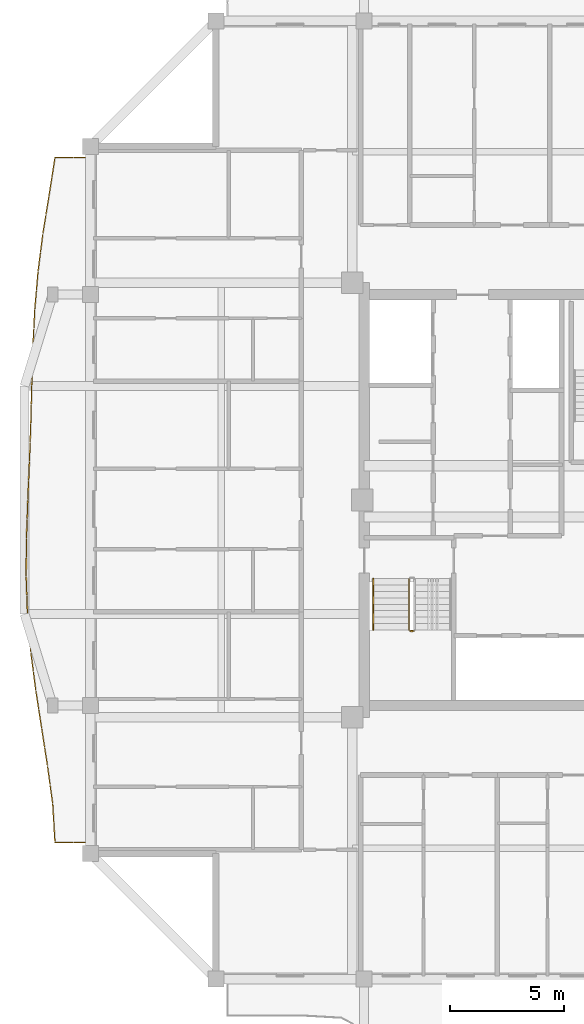
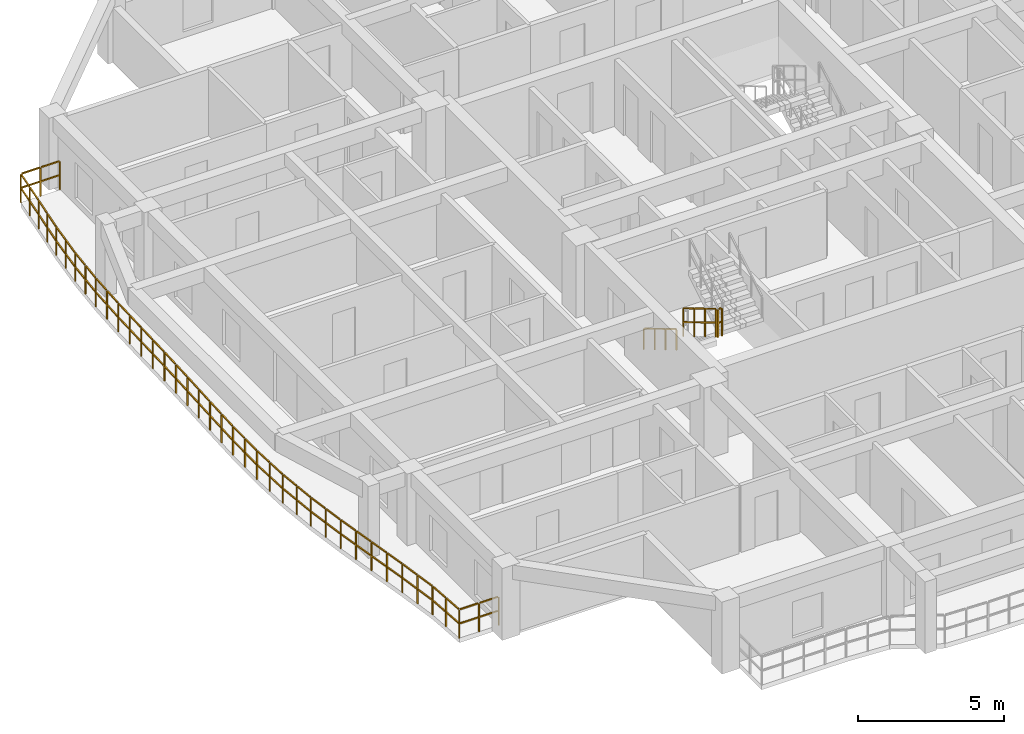
# One storey, part 11 of 14: 4 railings.
"""IFC4 building model written with IfcOpenShell, lengths in metres."""

import ifcopenshell
import ifcopenshell.guid

model = None  # the IFC model being written
_history = None  # IfcOwnerHistory: only IFC2X3 demands one
_inside = {}  # id of a spatial element -> (the spatial element, [elements in it])
_under = {}  # id of a project, library or spatial element -> (it, [spatial elements below it])
_declared = {}  # id of a project -> (the project, [libraries it declares])
_typed = {}  # id of a type object -> (the type object, [elements of that type])
_made_of = {}  # id of a material, layer set ... -> (it, [elements and type objects made of it])


def new_model(schema):
    """Start an empty IFC model of exactly this schema.

    Asked for "IFC4X3", IfcOpenShell would pick the latest addendum, in which some entities
    have other attributes; the version numbers below select the first issue.
    IFC2X3 requires an IfcOwnerHistory on every rooted entity: one is made here for all.
    """
    global model, _history
    if schema == "IFC4X3":
        model = ifcopenshell.file(schema_version=(4, 3, 0, 0))
    else:
        model = ifcopenshell.file(schema=schema)
    _inside.clear()
    _under.clear()
    _declared.clear()
    _typed.clear()
    _made_of.clear()
    _history = None
    if model.schema == "IFC2X3":
        org = make("IfcOrganization", Name="unknown")
        user = make(
            "IfcPersonAndOrganization",
            ThePerson=make("IfcPerson", FamilyName="unknown"),
            TheOrganization=org,
        )
        app = make(
            "IfcApplication",
            ApplicationDeveloper=org,
            Version="unknown",
            ApplicationFullName="unknown",
            ApplicationIdentifier="unknown",
        )
        _history = make(
            "IfcOwnerHistory",
            OwningUser=user,
            OwningApplication=app,
            ChangeAction="ADDED",
            CreationDate=0,
        )
    return model


def make(cls, **values):
    """One entity of the class cls with the attributes given. An attribute that is None is left unset."""
    return model.create_entity(
        cls, **{name: value for name, value in values.items() if value is not None}
    )


def rooted(cls, **values):
    """An entity with a GlobalId (a new one), such as an element, a storey or a relation."""
    return make(cls, GlobalId=ifcopenshell.guid.new(), OwnerHistory=_history, **values)


def si_unit(unit_type, name, prefix=None):
    """IfcSIUnit, for example si_unit("LENGTHUNIT", "METRE", prefix="MILLI")."""
    return make("IfcSIUnit", UnitType=unit_type, Prefix=prefix, Name=name)


def assignment(units):
    """IfcUnitAssignment: the units of a project."""
    return None if units is None else make("IfcUnitAssignment", Units=units)


def point(xyz):
    """IfcCartesianPoint."""
    return None if xyz is None else make("IfcCartesianPoint", Coordinates=xyz)


def direction(xyz):
    """IfcDirection."""
    return None if xyz is None else make("IfcDirection", DirectionRatios=xyz)


def frame(location, z_axis=None, x_axis=None):
    """IfcAxis2Placement3D, a coordinate frame: its origin and axes. An axis left out is left unset."""
    return make(
        "IfcAxis2Placement3D",
        Location=point(location),
        Axis=direction(z_axis),
        RefDirection=direction(x_axis),
    )


def frame_2d(location, x_axis=None):
    """IfcAxis2Placement2D, a coordinate frame in the plane: its origin and x axis."""
    return make(
        "IfcAxis2Placement2D", Location=point(location), RefDirection=direction(x_axis)
    )


def origin():
    """The frame at (0, 0, 0) with its axes left unset."""
    return frame((0.0, 0.0, 0.0))


def origin_2d():
    """The frame at (0, 0) in the plane with its x axis left unset."""
    return frame_2d((0.0, 0.0))


def place(relative_to, where):
    """IfcLocalPlacement: puts the frame where relative to a parent placement (None: the world)."""
    return make(
        "IfcLocalPlacement", PlacementRelTo=relative_to, RelativePlacement=where
    )


def context(
    kind, dimensions, precision=None, world=None, true_north=None, identifier=None
):
    """IfcGeometricRepresentationContext, for example the 3D "Model" context."""
    return make(
        "IfcGeometricRepresentationContext",
        ContextIdentifier=identifier,
        ContextType=kind,
        CoordinateSpaceDimension=dimensions,
        Precision=precision,
        WorldCoordinateSystem=world,
        TrueNorth=true_north,
    )


def subcontext(parent, identifier, kind, view, scale=None):
    """IfcGeometricRepresentationSubContext, for example "Body" below "Model"."""
    return make(
        "IfcGeometricRepresentationSubContext",
        ContextIdentifier=identifier,
        ContextType=kind,
        ParentContext=parent,
        TargetScale=scale,
        TargetView=view,
    )


def project(units=None, contexts=None):
    """IfcProject with its units and contexts."""
    return rooted(
        "IfcProject",
        Name="project",
        RepresentationContexts=contexts,
        UnitsInContext=assignment(units),
    )


def spatial(cls, under=None, at=None, **own):
    """A site, building, storey or space (cls), placed at a placement, below another one or the project."""
    s = rooted(cls, ObjectPlacement=at, **own)
    if under is not None:
        _under.setdefault(under.id(), (under, []))[1].append(s)
    return s


def profile(cls, at=None, kind="AREA", **sizes):
    """A parametric profile (cls). Its sizes go by their IFC names, for example OverallWidth=200.0."""
    return make(cls, ProfileType=kind, Position=at, **sizes)


def rectangle(**sizes):
    """IfcRectangleProfileDef."""
    return profile("IfcRectangleProfileDef", **sizes)


def extrude(swept, where, along, depth):
    """IfcExtrudedAreaSolid: the profile swept, set in the frame where, extruded along a direction by depth."""
    return make(
        "IfcExtrudedAreaSolid",
        SweptArea=swept,
        Position=where,
        ExtrudedDirection=direction(along),
        Depth=depth,
    )


def shape(context_of_items, identifier, shape_type, items):
    """IfcShapeRepresentation: the items that make up one representation, for example the "Body"."""
    return make(
        "IfcShapeRepresentation",
        ContextOfItems=context_of_items,
        RepresentationIdentifier=identifier,
        RepresentationType=shape_type,
        Items=items,
    )


def material(Name=None, Category=None):
    """IfcMaterial."""
    return make("IfcMaterial", Name=Name, Category=Category)


def made_of(thing, what):
    """Note that an element or type object is made of a material, layer set ...; save() writes the relation."""
    if what is not None:
        _made_of.setdefault(what.id(), (what, []))[1].append(thing)
    return thing


def type_object(cls, material=None, **own):
    """A type object (cls), such as IfcWallType, which elements share."""
    return made_of(rooted(cls, **own), material)


def element(
    cls,
    number,
    at=None,
    inside=None,
    cuts=None,
    type_object=None,
    material=None,
    context=None,
    identifier="Body",
    shape_type=None,
    held_by="IfcProductDefinitionShape",
    body=None,
    shapes=None,
    **own,
):
    """One element of the class cls, such as IfcWall. Its Tag is "e" and its number.

    at: its placement. inside: the storey or other place that contains it. cuts: it is an
    opening in that element (IfcRelVoidsElement). A single representation is given by context,
    identifier, shape_type and body (its items); several are given by shapes. held_by: the class
    of the entity that holds the representations. save() writes the other relations.
    """
    e = rooted(cls, Tag="e%d" % number, ObjectPlacement=at, **own)
    if body is not None:
        shapes = [shape(context, identifier, shape_type, body)]
    if shapes is not None:
        e.Representation = make(held_by, Representations=shapes)
    if inside is not None:
        _inside.setdefault(inside.id(), (inside, []))[1].append(e)
    if cuts is not None:
        rooted(
            "IfcRelVoidsElement", RelatingBuildingElement=cuts, RelatedOpeningElement=e
        )
    if type_object is not None:
        _typed.setdefault(type_object.id(), (type_object, []))[1].append(e)
    return made_of(e, material)


def aggregate(whole, parts):
    """IfcRelAggregates: a whole, such as a stair, and the parts it consists of."""
    return rooted("IfcRelAggregates", RelatingObject=whole, RelatedObjects=parts)


def save(model, path):
    """Write the relations noted so far, then the file.

    IfcRelAggregates (storeys below a building ...), IfcRelContainedInSpatialStructure (elements
    in a storey), IfcRelDefinesByType, IfcRelAssociatesMaterial and IfcRelDeclares: one each for
    every whole, place, type object, material and project.
    """
    for whole, parts in _under.values():
        aggregate(whole, parts)
    for where, things in _inside.values():
        rooted(
            "IfcRelContainedInSpatialStructure",
            RelatedElements=things,
            RelatingStructure=where,
        )
    for kind, things in _typed.values():
        rooted("IfcRelDefinesByType", RelatedObjects=things, RelatingType=kind)
    for what, things in _made_of.values():
        rooted("IfcRelAssociatesMaterial", RelatedObjects=things, RelatingMaterial=what)
    for by, libraries in _declared.values():
        rooted("IfcRelDeclares", RelatingContext=by, RelatedDefinitions=libraries)
    model.write(path)


model = new_model("IFC4")

# Units and contexts
model_context = context("Model", 3, precision=1e-05, world=origin(), true_north=direction((0.0, 1.0)))
body_context = subcontext(model_context, "Body", "Model", "MODEL_VIEW")
ifc_project = project(units=[si_unit("LENGTHUNIT", "METRE"), si_unit("AREAUNIT", "SQUARE_METRE"), si_unit("VOLUMEUNIT", "CUBIC_METRE"), si_unit("PLANEANGLEUNIT", "RADIAN"), si_unit("MASSUNIT", "GRAM", prefix="KILO")], contexts=[model_context])

# Site, building, storey
site_placement = place(None, origin())
site = spatial("IfcSite", under=ifc_project, at=site_placement, CompositionType="ELEMENT")
building_placement = place(site_placement, origin())
building = spatial("IfcBuilding", under=site, at=building_placement, Name="Saelheon Loggia Tower", CompositionType="ELEMENT")
storey_placement = place(building_placement, frame((0.0, 0.0, 210.300048828125)))
storey = spatial("IfcBuildingStorey", under=building, at=storey_placement, Name="L65", CompositionType="ELEMENT", Elevation=210.300048828125)

# Railings
ifc_material_1 = material(Name="Architectural Precast Concrete and Laminated Glass Guard", Category="concrete")
railing_type_1 = type_object("IfcRailingType", Name="Guard_Loggia_RL_LOG", PredefinedType="BALUSTRADE", material=ifc_material_1)
railing_1_placement = place(storey_placement, frame((19.5, 42.0, 0.0)))
element("IfcRailing", 1, at=railing_1_placement, inside=storey, type_object=railing_type_1, Name="L65 West Loggia Balustrade", PredefinedType="BALUSTRADE", context=body_context, shape_type="SweptSolid", body=[
    extrude(rectangle(XDim=0.048095703125, YDim=0.048095703125, at=origin_2d()), frame((-0.033203125, 0.0, 1.19580078125), z_axis=(-1.0, 0.0, 0.0), x_axis=(0.0, -1.0, 0.0)), (0.0, 0.0, 1.0), 0.70849609375),
    extrude(rectangle(XDim=0.048095703125, YDim=0.048095703125, at=origin_2d()), frame((-0.033203125, 0.0, 0.60986328125), z_axis=(-1.0, 0.0, 0.0), x_axis=(0.0, -1.0, 0.0)), (0.0, 0.0, 1.0), 0.70849609375),
    extrude(rectangle(XDim=0.048095703125, YDim=0.048095703125, at=origin_2d()), frame((-0.808349609375, 0.0, 1.19580078125), z_axis=(-1.0, 0.0, 0.0), x_axis=(0.0, -1.0, 0.0)), (0.0, 0.0, 1.0), 0.70849609375),
    extrude(rectangle(XDim=0.048095703125, YDim=0.048095703125, at=origin_2d()), frame((-0.808349609375, 0.0, 0.60986328125), z_axis=(-1.0, 0.0, 0.0), x_axis=(0.0, -1.0, 0.0)), (0.0, 0.0, 1.0), 0.70849609375),
    extrude(rectangle(XDim=0.048095703125, YDim=0.048095703125, at=origin_2d()), frame((-1.55517578125, -0.03271484375, 1.19580078125), z_axis=(-0.154275338413, -0.988027894322, 0.0), x_axis=(0.988027894322, -0.154275338413, 0.0)), (0.0, 0.0, 1.0), 0.777099609375),
    extrude(rectangle(XDim=0.048095703125, YDim=0.048095703125, at=origin_2d()), frame((-1.55517578125, -0.03271484375, 0.60986328125), z_axis=(-0.154275338413, -0.988027894322, 0.0), x_axis=(0.988027894322, -0.154275338413, 0.0)), (0.0, 0.0, 1.0), 0.777099609375),
    extrude(rectangle(XDim=0.048095703125, YDim=0.048095703125, at=origin_2d()), frame((-1.685302734375, -0.8662109375, 1.19580078125), z_axis=(-0.154275338413, -0.988027894322, 0.0), x_axis=(0.988027894322, -0.154275338413, 0.0)), (0.0, 0.0, 1.0), 0.777099609375),
    extrude(rectangle(XDim=0.048095703125, YDim=0.048095703125, at=origin_2d()), frame((-1.685302734375, -0.8662109375, 0.60986328125), z_axis=(-0.154275338413, -0.988027894322, 0.0), x_axis=(0.988027894322, -0.154275338413, 0.0)), (0.0, 0.0, 1.0), 0.777099609375),
    extrude(rectangle(XDim=0.048095703125, YDim=0.048095703125, at=origin_2d()), frame((-1.815673828125, -1.699462890625, 1.19580078125), z_axis=(-0.160364370731, -0.987057885131, 0.0), x_axis=(0.987057885131, -0.160364370731, 0.0)), (0.0, 0.0, 1.0), 0.777587890625),
    extrude(rectangle(XDim=0.048095703125, YDim=0.048095703125, at=origin_2d()), frame((-1.815673828125, -1.699462890625, 0.60986328125), z_axis=(-0.160364370731, -0.987057885131, 0.0), x_axis=(0.987057885131, -0.160364370731, 0.0)), (0.0, 0.0, 1.0), 0.777587890625),
    extrude(rectangle(XDim=0.048095703125, YDim=0.048095703125, at=origin_2d()), frame((-1.950927734375, -2.53271484375, 1.19580078125), z_axis=(-0.160364370731, -0.987057885131, 0.0), x_axis=(0.987057885131, -0.160364370731, 0.0)), (0.0, 0.0, 1.0), 0.777587890625),
    extrude(rectangle(XDim=0.048095703125, YDim=0.048095703125, at=origin_2d()), frame((-1.950927734375, -2.53271484375, 0.60986328125), z_axis=(-0.160364370731, -0.987057885131, 0.0), x_axis=(0.987057885131, -0.160364370731, 0.0)), (0.0, 0.0, 1.0), 0.777587890625),
    extrude(rectangle(XDim=0.048095703125, YDim=0.048095703125, at=origin_2d()), frame((-2.085205078125, -3.3662109375, 1.19580078125), z_axis=(-0.126555838779, -0.991959484894, 0.0), x_axis=(0.991959484894, -0.126555838779, 0.0)), (0.0, 0.0, 1.0), 0.773681640625),
    extrude(rectangle(XDim=0.048095703125, YDim=0.048095703125, at=origin_2d()), frame((-2.085205078125, -3.3662109375, 0.60986328125), z_axis=(-0.126555838779, -0.991959484894, 0.0), x_axis=(0.991959484894, -0.126555838779, 0.0)), (0.0, 0.0, 1.0), 0.773681640625),
    extrude(rectangle(XDim=0.048095703125, YDim=0.048095703125, at=origin_2d()), frame((-2.191650390625, -4.19970703125, 1.19580078125), z_axis=(-0.126555838779, -0.991959484894, 0.0), x_axis=(0.991959484894, -0.126555838779, 0.0)), (0.0, 0.0, 1.0), 0.773681640625),
    extrude(rectangle(XDim=0.048095703125, YDim=0.048095703125, at=origin_2d()), frame((-2.191650390625, -4.19970703125, 0.60986328125), z_axis=(-0.126555838779, -0.991959484894, 0.0), x_axis=(0.991959484894, -0.126555838779, 0.0)), (0.0, 0.0, 1.0), 0.773681640625),
    extrude(rectangle(XDim=0.048095703125, YDim=0.048095703125, at=origin_2d()), frame((-2.296630859375, -5.033203125, 1.19580078125), z_axis=(-0.085086537051, -0.996373565091, 0.0), x_axis=(0.996373565091, -0.085086537051, 0.0)), (0.0, 0.0, 1.0), 0.77001953125),
    extrude(rectangle(XDim=0.048095703125, YDim=0.048095703125, at=origin_2d()), frame((-2.296630859375, -5.033203125, 0.60986328125), z_axis=(-0.085086537051, -0.996373565091, 0.0), x_axis=(0.996373565091, -0.085086537051, 0.0)), (0.0, 0.0, 1.0), 0.77001953125),
    extrude(rectangle(XDim=0.048095703125, YDim=0.048095703125, at=origin_2d()), frame((-2.36767578125, -5.866455078125, 1.19580078125), z_axis=(-0.085086537051, -0.996373565091, 0.0), x_axis=(0.996373565091, -0.085086537051, 0.0)), (0.0, 0.0, 1.0), 0.77001953125),
    extrude(rectangle(XDim=0.048095703125, YDim=0.048095703125, at=origin_2d()), frame((-2.36767578125, -5.866455078125, 0.60986328125), z_axis=(-0.085086537051, -0.996373565091, 0.0), x_axis=(0.996373565091, -0.085086537051, 0.0)), (0.0, 0.0, 1.0), 0.77001953125),
    extrude(rectangle(XDim=0.048095703125, YDim=0.048095703125, at=origin_2d()), frame((-2.437744140625, -6.699951171875, 1.19580078125), z_axis=(-0.049164031817, -0.998790717806, 0.0), x_axis=(0.998790717806, -0.049164031817, 0.0)), (0.0, 0.0, 1.0), 0.767822265625),
    extrude(rectangle(XDim=0.048095703125, YDim=0.048095703125, at=origin_2d()), frame((-2.437744140625, -6.699951171875, 0.60986328125), z_axis=(-0.049164031817, -0.998790717806, 0.0), x_axis=(0.998790717806, -0.049164031817, 0.0)), (0.0, 0.0, 1.0), 0.767822265625),
    extrude(rectangle(XDim=0.048095703125, YDim=0.048095703125, at=origin_2d()), frame((-2.478759765625, -7.533203125, 1.19580078125), z_axis=(-0.049164031817, -0.998790717806, 0.0), x_axis=(0.998790717806, -0.049164031817, 0.0)), (0.0, 0.0, 1.0), 0.767822265625),
    extrude(rectangle(XDim=0.048095703125, YDim=0.048095703125, at=origin_2d()), frame((-2.478759765625, -7.533203125, 0.60986328125), z_axis=(-0.049164031817, -0.998790717806, 0.0), x_axis=(0.998790717806, -0.049164031817, 0.0)), (0.0, 0.0, 1.0), 0.767822265625),
    extrude(rectangle(XDim=0.048095703125, YDim=0.048095703125, at=origin_2d()), frame((-2.51904296875, -8.366455078125, 1.19580078125), z_axis=(-0.028990300161, -0.999579692919, 0.0), x_axis=(0.999579692919, -0.028990300161, 0.0)), (0.0, 0.0, 1.0), 0.767333984375),
    extrude(rectangle(XDim=0.048095703125, YDim=0.048095703125, at=origin_2d()), frame((-2.51904296875, -8.366455078125, 0.60986328125), z_axis=(-0.028990300161, -0.999579692919, 0.0), x_axis=(0.999579692919, -0.028990300161, 0.0)), (0.0, 0.0, 1.0), 0.767333984375),
    extrude(rectangle(XDim=0.048095703125, YDim=0.048095703125, at=origin_2d()), frame((-2.543212890625, -9.199951171875, 1.19580078125), z_axis=(-0.028990300161, -0.999579692919, 0.0), x_axis=(0.999579692919, -0.028990300161, 0.0)), (0.0, 0.0, 1.0), 0.767333984375),
    extrude(rectangle(XDim=0.048095703125, YDim=0.048095703125, at=origin_2d()), frame((-2.543212890625, -9.199951171875, 0.60986328125), z_axis=(-0.028990300161, -0.999579692919, 0.0), x_axis=(0.999579692919, -0.028990300161, 0.0)), (0.0, 0.0, 1.0), 0.767333984375),
    extrude(rectangle(XDim=0.048095703125, YDim=0.048095703125, at=origin_2d()), frame((-2.5673828125, -10.033203125, 1.19580078125), z_axis=(-0.026503064378, -0.999648732095, 0.0), x_axis=(0.999648732095, -0.026503064378, 0.0)), (0.0, 0.0, 1.0), 0.76708984375),
    extrude(rectangle(XDim=0.048095703125, YDim=0.048095703125, at=origin_2d()), frame((-2.5673828125, -10.033203125, 0.60986328125), z_axis=(-0.026503064378, -0.999648732095, 0.0), x_axis=(0.999648732095, -0.026503064378, 0.0)), (0.0, 0.0, 1.0), 0.76708984375),
    extrude(rectangle(XDim=0.048095703125, YDim=0.048095703125, at=origin_2d()), frame((-2.58935546875, -10.86669921875, 1.19580078125), z_axis=(-0.026503064378, -0.999648732095, 0.0), x_axis=(0.999648732095, -0.026503064378, 0.0)), (0.0, 0.0, 1.0), 0.76708984375),
    extrude(rectangle(XDim=0.048095703125, YDim=0.048095703125, at=origin_2d()), frame((-2.58935546875, -10.86669921875, 0.60986328125), z_axis=(-0.026503064378, -0.999648732095, 0.0), x_axis=(0.999648732095, -0.026503064378, 0.0)), (0.0, 0.0, 1.0), 0.76708984375),
    extrude(rectangle(XDim=0.048095703125, YDim=0.048095703125, at=origin_2d()), frame((-2.61181640625, -11.699951171875, 1.19580078125), z_axis=(-0.034699278976, -0.999397798696, 0.0), x_axis=(0.999397798696, -0.034699278976, 0.0)), (0.0, 0.0, 1.0), 0.767333984375),
    extrude(rectangle(XDim=0.048095703125, YDim=0.048095703125, at=origin_2d()), frame((-2.61181640625, -11.699951171875, 0.60986328125), z_axis=(-0.034699278976, -0.999397798696, 0.0), x_axis=(0.999397798696, -0.034699278976, 0.0)), (0.0, 0.0, 1.0), 0.767333984375),
    extrude(rectangle(XDim=0.048095703125, YDim=0.048095703125, at=origin_2d()), frame((-2.640625, -12.533203125, 1.19580078125), z_axis=(-0.034699278976, -0.999397798696, 0.0), x_axis=(0.999397798696, -0.034699278976, 0.0)), (0.0, 0.0, 1.0), 0.767333984375),
    extrude(rectangle(XDim=0.048095703125, YDim=0.048095703125, at=origin_2d()), frame((-2.640625, -12.533203125, 0.60986328125), z_axis=(-0.034699278976, -0.999397798696, 0.0), x_axis=(0.999397798696, -0.034699278976, 0.0)), (0.0, 0.0, 1.0), 0.767333984375),
    extrude(rectangle(XDim=0.048095703125, YDim=0.048095703125, at=origin_2d()), frame((-2.669921875, -13.366455078125, 1.19580078125), z_axis=(-0.041563583491, -0.999135860895, 0.0), x_axis=(0.999135860895, -0.041563583491, 0.0)), (0.0, 0.0, 1.0), 0.767578125),
    extrude(rectangle(XDim=0.048095703125, YDim=0.048095703125, at=origin_2d()), frame((-2.669921875, -13.366455078125, 0.60986328125), z_axis=(-0.041563583491, -0.999135860895, 0.0), x_axis=(0.999135860895, -0.041563583491, 0.0)), (0.0, 0.0, 1.0), 0.767578125),
    extrude(rectangle(XDim=0.048095703125, YDim=0.048095703125, at=origin_2d()), frame((-2.70458984375, -14.199951171875, 1.19580078125), z_axis=(-0.041563583491, -0.999135860895, 0.0), x_axis=(0.999135860895, -0.041563583491, 0.0)), (0.0, 0.0, 1.0), 0.767578125),
    extrude(rectangle(XDim=0.048095703125, YDim=0.048095703125, at=origin_2d()), frame((-2.70458984375, -14.199951171875, 0.60986328125), z_axis=(-0.041563583491, -0.999135860895, 0.0), x_axis=(0.999135860895, -0.041563583491, 0.0)), (0.0, 0.0, 1.0), 0.767578125),
    extrude(rectangle(XDim=0.048095703125, YDim=0.048095703125, at=origin_2d()), frame((-2.739013671875, -15.033203125, 1.19580078125), z_axis=(-0.035132830873, -0.999382651538, 0.0), x_axis=(0.999382651538, -0.035132830873, 0.0)), (0.0, 0.0, 1.0), 0.767333984375),
    extrude(rectangle(XDim=0.048095703125, YDim=0.048095703125, at=origin_2d()), frame((-2.739013671875, -15.033203125, 0.60986328125), z_axis=(-0.035132830873, -0.999382651538, 0.0), x_axis=(0.999382651538, -0.035132830873, 0.0)), (0.0, 0.0, 1.0), 0.767333984375),
    extrude(rectangle(XDim=0.048095703125, YDim=0.048095703125, at=origin_2d()), frame((-2.768310546875, -15.86669921875, 1.19580078125), z_axis=(-0.035132830873, -0.999382651538, 0.0), x_axis=(0.999382651538, -0.035132830873, 0.0)), (0.0, 0.0, 1.0), 0.767333984375),
    extrude(rectangle(XDim=0.048095703125, YDim=0.048095703125, at=origin_2d()), frame((-2.768310546875, -15.86669921875, 0.60986328125), z_axis=(-0.035132830873, -0.999382651538, 0.0), x_axis=(0.999382651538, -0.035132830873, 0.0)), (0.0, 0.0, 1.0), 0.767333984375),
    extrude(rectangle(XDim=0.048095703125, YDim=0.048095703125, at=origin_2d()), frame((-2.796630859375, -16.699951171875, 1.19580078125), z_axis=(-0.008496616815, -0.9999639031, 0.0), x_axis=(0.9999639031, -0.008496616815, 0.0)), (0.0, 0.0, 1.0), 0.766845703125),
    extrude(rectangle(XDim=0.048095703125, YDim=0.048095703125, at=origin_2d()), frame((-2.796630859375, -16.699951171875, 0.60986328125), z_axis=(-0.008496616815, -0.9999639031, 0.0), x_axis=(0.9999639031, -0.008496616815, 0.0)), (0.0, 0.0, 1.0), 0.766845703125),
    extrude(rectangle(XDim=0.048095703125, YDim=0.048095703125, at=origin_2d()), frame((-2.8037109375, -17.533203125, 1.19580078125), z_axis=(-0.008496616815, -0.9999639031, 0.0), x_axis=(0.9999639031, -0.008496616815, 0.0)), (0.0, 0.0, 1.0), 0.766845703125),
    extrude(rectangle(XDim=0.048095703125, YDim=0.048095703125, at=origin_2d()), frame((-2.8037109375, -17.533203125, 0.60986328125), z_axis=(-0.008496616815, -0.9999639031, 0.0), x_axis=(0.9999639031, -0.008496616815, 0.0)), (0.0, 0.0, 1.0), 0.766845703125),
    extrude(rectangle(XDim=0.048095703125, YDim=0.048095703125, at=origin_2d()), frame((-2.809326171875, -18.366455078125, 1.19580078125), z_axis=(0.035132830873, -0.999382651538, 0.0), x_axis=(0.999382651538, 0.035132830873, 0.0)), (0.0, 0.0, 1.0), 0.767333984375),
    extrude(rectangle(XDim=0.048095703125, YDim=0.048095703125, at=origin_2d()), frame((-2.809326171875, -18.366455078125, 0.60986328125), z_axis=(0.035132830873, -0.999382651538, 0.0), x_axis=(0.999382651538, 0.035132830873, 0.0)), (0.0, 0.0, 1.0), 0.767333984375),
    extrude(rectangle(XDim=0.048095703125, YDim=0.048095703125, at=origin_2d()), frame((-2.780029296875, -19.199951171875, 1.19580078125), z_axis=(0.035132830873, -0.999382651538, 0.0), x_axis=(0.999382651538, 0.035132830873, 0.0)), (0.0, 0.0, 1.0), 0.767333984375),
    extrude(rectangle(XDim=0.048095703125, YDim=0.048095703125, at=origin_2d()), frame((-2.780029296875, -19.199951171875, 0.60986328125), z_axis=(0.035132830873, -0.999382651538, 0.0), x_axis=(0.999382651538, 0.035132830873, 0.0)), (0.0, 0.0, 1.0), 0.767333984375),
    extrude(rectangle(XDim=0.048095703125, YDim=0.048095703125, at=origin_2d()), frame((-2.7490234375, -20.033203125, 1.19580078125), z_axis=(0.085810916516, -0.996311440568, 0.0), x_axis=(0.996311440568, 0.085810916516, 0.0)), (0.0, 0.0, 1.0), 0.77001953125),
    extrude(rectangle(XDim=0.048095703125, YDim=0.048095703125, at=origin_2d()), frame((-2.7490234375, -20.033203125, 0.60986328125), z_axis=(0.085810916516, -0.996311440568, 0.0), x_axis=(0.996311440568, 0.085810916516, 0.0)), (0.0, 0.0, 1.0), 0.77001953125),
    extrude(rectangle(XDim=0.048095703125, YDim=0.048095703125, at=origin_2d()), frame((-2.67724609375, -20.866455078125, 1.19580078125), z_axis=(0.085810916516, -0.996311440568, 0.0), x_axis=(0.996311440568, 0.085810916516, 0.0)), (0.0, 0.0, 1.0), 0.77001953125),
    extrude(rectangle(XDim=0.048095703125, YDim=0.048095703125, at=origin_2d()), frame((-2.67724609375, -20.866455078125, 0.60986328125), z_axis=(0.085810916516, -0.996311440568, 0.0), x_axis=(0.996311440568, 0.085810916516, 0.0)), (0.0, 0.0, 1.0), 0.77001953125),
    extrude(rectangle(XDim=0.048095703125, YDim=0.048095703125, at=origin_2d()), frame((-2.60400390625, -21.69970703125, 1.19580078125), z_axis=(0.128718073228, -0.991681227827, 0.0), x_axis=(0.991681227827, 0.128718073228, 0.0)), (0.0, 0.0, 1.0), 0.773681640625),
    extrude(rectangle(XDim=0.048095703125, YDim=0.048095703125, at=origin_2d()), frame((-2.60400390625, -21.69970703125, 0.60986328125), z_axis=(0.128718073228, -0.991681227827, 0.0), x_axis=(0.991681227827, 0.128718073228, 0.0)), (0.0, 0.0, 1.0), 0.773681640625),
    extrude(rectangle(XDim=0.048095703125, YDim=0.048095703125, at=origin_2d()), frame((-2.495849609375, -22.532958984375, 1.19580078125), z_axis=(0.128718073228, -0.991681227827, 0.0), x_axis=(0.991681227827, 0.128718073228, 0.0)), (0.0, 0.0, 1.0), 0.773681640625),
    extrude(rectangle(XDim=0.048095703125, YDim=0.048095703125, at=origin_2d()), frame((-2.495849609375, -22.532958984375, 0.60986328125), z_axis=(0.128718073228, -0.991681227827, 0.0), x_axis=(0.991681227827, 0.128718073228, 0.0)), (0.0, 0.0, 1.0), 0.773681640625),
    extrude(rectangle(XDim=0.048095703125, YDim=0.048095703125, at=origin_2d()), frame((-2.386962890625, -23.3662109375, 1.19580078125), z_axis=(0.152579310922, -0.988291229283, 0.0), x_axis=(0.988291229283, 0.152579310922, 0.0)), (0.0, 0.0, 1.0), 0.77685546875),
    extrude(rectangle(XDim=0.048095703125, YDim=0.048095703125, at=origin_2d()), frame((-2.386962890625, -23.3662109375, 0.60986328125), z_axis=(0.152579310922, -0.988291229283, 0.0), x_axis=(0.988291229283, 0.152579310922, 0.0)), (0.0, 0.0, 1.0), 0.77685546875),
    extrude(rectangle(XDim=0.048095703125, YDim=0.048095703125, at=origin_2d()), frame((-2.25830078125, -24.199462890625, 1.19580078125), z_axis=(0.152579310922, -0.988291229283, 0.0), x_axis=(0.988291229283, 0.152579310922, 0.0)), (0.0, 0.0, 1.0), 0.77685546875),
    extrude(rectangle(XDim=0.048095703125, YDim=0.048095703125, at=origin_2d()), frame((-2.25830078125, -24.199462890625, 0.60986328125), z_axis=(0.152579310922, -0.988291229283, 0.0), x_axis=(0.988291229283, 0.152579310922, 0.0)), (0.0, 0.0, 1.0), 0.77685546875),
    extrude(rectangle(XDim=0.048095703125, YDim=0.048095703125, at=origin_2d()), frame((-2.129638671875, -25.032958984375, 1.19580078125), z_axis=(0.15356882512, -0.988137953907, 0.0), x_axis=(0.988137953907, 0.15356882512, 0.0)), (0.0, 0.0, 1.0), 0.77685546875),
    extrude(rectangle(XDim=0.048095703125, YDim=0.048095703125, at=origin_2d()), frame((-2.129638671875, -25.032958984375, 0.60986328125), z_axis=(0.15356882512, -0.988137953907, 0.0), x_axis=(0.988137953907, 0.15356882512, 0.0)), (0.0, 0.0, 1.0), 0.77685546875),
    extrude(rectangle(XDim=0.048095703125, YDim=0.048095703125, at=origin_2d()), frame((-2.000244140625, -25.8662109375, 1.19580078125), z_axis=(0.15356882512, -0.988137953907, 0.0), x_axis=(0.988137953907, 0.15356882512, 0.0)), (0.0, 0.0, 1.0), 0.77685546875),
    extrude(rectangle(XDim=0.048095703125, YDim=0.048095703125, at=origin_2d()), frame((-2.000244140625, -25.8662109375, 0.60986328125), z_axis=(0.15356882512, -0.988137953907, 0.0), x_axis=(0.988137953907, 0.15356882512, 0.0)), (0.0, 0.0, 1.0), 0.77685546875),
    extrude(rectangle(XDim=0.048095703125, YDim=0.048095703125, at=origin_2d()), frame((-1.871337890625, -26.69970703125, 1.19580078125), z_axis=(0.13556658858, -0.990768237309, 0.0), x_axis=(0.990768237309, 0.13556658858, 0.0)), (0.0, 0.0, 1.0), 0.774658203125),
    extrude(rectangle(XDim=0.048095703125, YDim=0.048095703125, at=origin_2d()), frame((-1.871337890625, -26.69970703125, 0.60986328125), z_axis=(0.13556658858, -0.990768237309, 0.0), x_axis=(0.990768237309, 0.13556658858, 0.0)), (0.0, 0.0, 1.0), 0.774658203125),
    extrude(rectangle(XDim=0.048095703125, YDim=0.048095703125, at=origin_2d()), frame((-1.75732421875, -27.532958984375, 1.19580078125), z_axis=(0.13556658858, -0.990768237309, 0.0), x_axis=(0.990768237309, 0.13556658858, 0.0)), (0.0, 0.0, 1.0), 0.774658203125),
    extrude(rectangle(XDim=0.048095703125, YDim=0.048095703125, at=origin_2d()), frame((-1.75732421875, -27.532958984375, 0.60986328125), z_axis=(0.13556658858, -0.990768237309, 0.0), x_axis=(0.990768237309, 0.13556658858, 0.0)), (0.0, 0.0, 1.0), 0.774658203125),
    extrude(rectangle(XDim=0.048095703125, YDim=0.048095703125, at=origin_2d()), frame((-1.645751953125, -28.366455078125, 1.19580078125), z_axis=(0.058490579202, -0.998287960533, 0.0), x_axis=(0.998287960533, 0.058490579202, 0.0)), (0.0, 0.0, 1.0), 0.768310546875),
    extrude(rectangle(XDim=0.048095703125, YDim=0.048095703125, at=origin_2d()), frame((-1.645751953125, -28.366455078125, 0.60986328125), z_axis=(0.058490579202, -0.998287960533, 0.0), x_axis=(0.998287960533, 0.058490579202, 0.0)), (0.0, 0.0, 1.0), 0.768310546875),
    extrude(rectangle(XDim=0.048095703125, YDim=0.048095703125, at=origin_2d()), frame((-1.596923828125, -29.19970703125, 1.19580078125), z_axis=(0.058490579202, -0.998287960533, 0.0), x_axis=(0.998287960533, 0.058490579202, 0.0)), (0.0, 0.0, 1.0), 0.768310546875),
    extrude(rectangle(XDim=0.048095703125, YDim=0.048095703125, at=origin_2d()), frame((-1.596923828125, -29.19970703125, 0.60986328125), z_axis=(0.058490579202, -0.998287960533, 0.0), x_axis=(0.998287960533, 0.058490579202, 0.0)), (0.0, 0.0, 1.0), 0.768310546875),
    extrude(rectangle(XDim=0.048095703125, YDim=0.048095703125, at=origin_2d()), frame((-1.516845703125, -30.0, 1.19580078125), z_axis=(1.0, 0.0, 0.0), x_axis=(0.0, 1.0, 0.0)), (0.0, 0.0, 1.0), 0.70849609375),
    extrude(rectangle(XDim=0.048095703125, YDim=0.048095703125, at=origin_2d()), frame((-1.516845703125, -30.0, 0.60986328125), z_axis=(1.0, 0.0, 0.0), x_axis=(0.0, 1.0, 0.0)), (0.0, 0.0, 1.0), 0.70849609375),
    extrude(rectangle(XDim=0.048095703125, YDim=0.048095703125, at=origin_2d()), frame((-0.74169921875, -30.0, 1.19580078125), z_axis=(1.0, 0.0, 0.0), x_axis=(0.0, 1.0, 0.0)), (0.0, 0.0, 1.0), 0.70849609375),
    extrude(rectangle(XDim=0.048095703125, YDim=0.048095703125, at=origin_2d()), frame((-0.74169921875, -30.0, 0.60986328125), z_axis=(1.0, 0.0, 0.0), x_axis=(0.0, 1.0, 0.0)), (0.0, 0.0, 1.0), 0.70849609375),
    extrude(rectangle(XDim=0.0419921875, YDim=0.0419921875, at=origin_2d()), origin(), (0.0, 0.0, 1.0), 1.16796875),
    extrude(rectangle(XDim=0.0419921875, YDim=0.0419921875, at=origin_2d()), frame((-0.77490234375, 0.0, 0.0)), (0.0, 0.0, 1.0), 1.16796875),
    extrude(rectangle(XDim=0.0419921875, YDim=0.0419921875, at=origin_2d()), frame((-1.550048828125, 0.0, 0.0)), (0.0, 0.0, 1.0), 1.16796875),
    extrude(rectangle(XDim=0.0419921875, YDim=0.0419921875, at=origin_2d()), frame((-1.68017578125, -0.83349609375, 0.0)), (0.0, 0.0, 1.0), 1.16796875),
    extrude(rectangle(XDim=0.0419921875, YDim=0.0419921875, at=origin_2d()), frame((-1.810302734375, -1.666748046875, 0.0)), (0.0, 0.0, 1.0), 1.16796875),
    extrude(rectangle(XDim=0.0419921875, YDim=0.0419921875, at=origin_2d()), frame((-1.94580078125, -2.5, 0.0)), (0.0, 0.0, 1.0), 1.16796875),
    extrude(rectangle(XDim=0.0419921875, YDim=0.0419921875, at=origin_2d()), frame((-2.0810546875, -3.333251953125, 0.0)), (0.0, 0.0, 1.0), 1.16796875),
    extrude(rectangle(XDim=0.0419921875, YDim=0.0419921875, at=origin_2d()), frame((-2.1875, -4.16650390625, 0.0)), (0.0, 0.0, 1.0), 1.16796875),
    extrude(rectangle(XDim=0.0419921875, YDim=0.0419921875, at=origin_2d()), frame((-2.293701171875, -5.0, 0.0)), (0.0, 0.0, 1.0), 1.16796875),
    extrude(rectangle(XDim=0.0419921875, YDim=0.0419921875, at=origin_2d()), frame((-2.36474609375, -5.83349609375, 0.0)), (0.0, 0.0, 1.0), 1.16796875),
    extrude(rectangle(XDim=0.0419921875, YDim=0.0419921875, at=origin_2d()), frame((-2.43603515625, -6.666748046875, 0.0)), (0.0, 0.0, 1.0), 1.16796875),
    extrude(rectangle(XDim=0.0419921875, YDim=0.0419921875, at=origin_2d()), frame((-2.47705078125, -7.5, 0.0)), (0.0, 0.0, 1.0), 1.16796875),
    extrude(rectangle(XDim=0.0419921875, YDim=0.0419921875, at=origin_2d()), frame((-2.51806640625, -8.333251953125, 0.0)), (0.0, 0.0, 1.0), 1.16796875),
    extrude(rectangle(XDim=0.0419921875, YDim=0.0419921875, at=origin_2d()), frame((-2.542236328125, -9.16650390625, 0.0)), (0.0, 0.0, 1.0), 1.16796875),
    extrude(rectangle(XDim=0.0419921875, YDim=0.0419921875, at=origin_2d()), frame((-2.56640625, -10.0, 0.0)), (0.0, 0.0, 1.0), 1.16796875),
    extrude(rectangle(XDim=0.0419921875, YDim=0.0419921875, at=origin_2d()), frame((-2.58837890625, -10.83349609375, 0.0)), (0.0, 0.0, 1.0), 1.16796875),
    extrude(rectangle(XDim=0.0419921875, YDim=0.0419921875, at=origin_2d()), frame((-2.610595703125, -11.666748046875, 0.0)), (0.0, 0.0, 1.0), 1.16796875),
    extrude(rectangle(XDim=0.0419921875, YDim=0.0419921875, at=origin_2d()), frame((-2.6396484375, -12.5, 0.0)), (0.0, 0.0, 1.0), 1.16796875),
    extrude(rectangle(XDim=0.0419921875, YDim=0.0419921875, at=origin_2d()), frame((-2.66845703125, -13.333251953125, 0.0)), (0.0, 0.0, 1.0), 1.16796875),
    extrude(rectangle(XDim=0.0419921875, YDim=0.0419921875, at=origin_2d()), frame((-2.703125, -14.16650390625, 0.0)), (0.0, 0.0, 1.0), 1.16796875),
    extrude(rectangle(XDim=0.0419921875, YDim=0.0419921875, at=origin_2d()), frame((-2.73779296875, -15.0, 0.0)), (0.0, 0.0, 1.0), 1.16796875),
    extrude(rectangle(XDim=0.0419921875, YDim=0.0419921875, at=origin_2d()), frame((-2.76708984375, -15.83349609375, 0.0)), (0.0, 0.0, 1.0), 1.16796875),
    extrude(rectangle(XDim=0.0419921875, YDim=0.0419921875, at=origin_2d()), frame((-2.79638671875, -16.666748046875, 0.0)), (0.0, 0.0, 1.0), 1.16796875),
    extrude(rectangle(XDim=0.0419921875, YDim=0.0419921875, at=origin_2d()), frame((-2.803466796875, -17.5, 0.0)), (0.0, 0.0, 1.0), 1.16796875),
    extrude(rectangle(XDim=0.0419921875, YDim=0.0419921875, at=origin_2d()), frame((-2.810546875, -18.333251953125, 0.0)), (0.0, 0.0, 1.0), 1.16796875),
    extrude(rectangle(XDim=0.0419921875, YDim=0.0419921875, at=origin_2d()), frame((-2.78125, -19.16650390625, 0.0)), (0.0, 0.0, 1.0), 1.16796875),
    extrude(rectangle(XDim=0.0419921875, YDim=0.0419921875, at=origin_2d()), frame((-2.751953125, -20.0, 0.0)), (0.0, 0.0, 1.0), 1.16796875),
    extrude(rectangle(XDim=0.0419921875, YDim=0.0419921875, at=origin_2d()), frame((-2.68017578125, -20.83349609375, 0.0)), (0.0, 0.0, 1.0), 1.16796875),
    extrude(rectangle(XDim=0.0419921875, YDim=0.0419921875, at=origin_2d()), frame((-2.6083984375, -21.666748046875, 0.0)), (0.0, 0.0, 1.0), 1.16796875),
    extrude(rectangle(XDim=0.0419921875, YDim=0.0419921875, at=origin_2d()), frame((-2.500244140625, -22.5, 0.0)), (0.0, 0.0, 1.0), 1.16796875),
    extrude(rectangle(XDim=0.0419921875, YDim=0.0419921875, at=origin_2d()), frame((-2.39208984375, -23.333251953125, 0.0)), (0.0, 0.0, 1.0), 1.16796875),
    extrude(rectangle(XDim=0.0419921875, YDim=0.0419921875, at=origin_2d()), frame((-2.263427734375, -24.16650390625, 0.0)), (0.0, 0.0, 1.0), 1.16796875),
    extrude(rectangle(XDim=0.0419921875, YDim=0.0419921875, at=origin_2d()), frame((-2.134765625, -25.0, 0.0)), (0.0, 0.0, 1.0), 1.16796875),
    extrude(rectangle(XDim=0.0419921875, YDim=0.0419921875, at=origin_2d()), frame((-2.00537109375, -25.83349609375, 0.0)), (0.0, 0.0, 1.0), 1.16796875),
    extrude(rectangle(XDim=0.0419921875, YDim=0.0419921875, at=origin_2d()), frame((-1.875732421875, -26.666748046875, 0.0)), (0.0, 0.0, 1.0), 1.16796875),
    extrude(rectangle(XDim=0.0419921875, YDim=0.0419921875, at=origin_2d()), frame((-1.76171875, -27.5, 0.0)), (0.0, 0.0, 1.0), 1.16796875),
    extrude(rectangle(XDim=0.0419921875, YDim=0.0419921875, at=origin_2d()), frame((-1.647705078125, -28.333251953125, 0.0)), (0.0, 0.0, 1.0), 1.16796875),
    extrude(rectangle(XDim=0.0419921875, YDim=0.0419921875, at=origin_2d()), frame((-1.598876953125, -29.16650390625, 0.0)), (0.0, 0.0, 1.0), 1.16796875),
    extrude(rectangle(XDim=0.0419921875, YDim=0.0419921875, at=origin_2d()), frame((-1.550048828125, -30.0, 0.0)), (0.0, 0.0, 1.0), 1.16796875),
    extrude(rectangle(XDim=0.0419921875, YDim=0.0419921875, at=origin_2d()), frame((-0.77490234375, -30.0, 0.0)), (0.0, 0.0, 1.0), 1.16796875),
    extrude(rectangle(XDim=0.0419921875, YDim=0.0419921875, at=origin_2d()), frame((0.0, -30.0, 0.0)), (0.0, 0.0, 1.0), 1.16796875),
])
ifc_material_2 = material(Name="Galvanised Steel S275 Stairwell Guardrail", Category="steel")
railing_type_2 = type_object("IfcRailingType", Name="Guard_StairWell_RL_STG", PredefinedType="GUARDRAIL", material=ifc_material_2)
railing_2_placement = place(storey_placement, frame((33.4599609375, 23.550048828125, 0.16650390625)))
element("IfcRailing", 2, at=railing_2_placement, inside=storey, type_object=railing_type_2, Name="L65 ST1 stair guard 1", PredefinedType="GUARDRAIL", context=body_context, shape_type="SweptSolid", body=[
    extrude(rectangle(XDim=0.048095703125, YDim=0.048095703125, at=origin_2d()), frame((0.0, -0.028564453125, 1.19287109375), z_axis=(0.0, -0.859264461869, 0.511531606619), x_axis=(1.0, 0.0, 0.0)), (0.0, 0.0, 1.0), 0.802490234375),
    extrude(rectangle(XDim=0.048095703125, YDim=0.048095703125, at=origin_2d()), frame((0.0, -0.028564453125, 0.616943359375), z_axis=(0.0, -0.859264461869, 0.511531606619), x_axis=(1.0, 0.0, 0.0)), (0.0, 0.0, 1.0), 0.802490234375),
    extrude(rectangle(XDim=0.048095703125, YDim=0.048095703125, at=origin_2d()), frame((0.0, -0.775146484375, 1.637451171875), z_axis=(0.0, -0.859264461869, 0.511531606619), x_axis=(1.0, 0.0, 0.0)), (0.0, 0.0, 1.0), 0.802490234375),
    extrude(rectangle(XDim=0.048095703125, YDim=0.048095703125, at=origin_2d()), frame((0.0, -0.775146484375, 1.0615234375), z_axis=(0.0, -0.859264461869, 0.511531606619), x_axis=(1.0, 0.0, 0.0)), (0.0, 0.0, 1.0), 0.802490234375),
    extrude(rectangle(XDim=0.048095703125, YDim=0.048095703125, at=origin_2d()), frame((0.0, -1.52197265625, 2.081787109375), z_axis=(0.0, -0.859264461869, 0.511531606619), x_axis=(1.0, 0.0, 0.0)), (0.0, 0.0, 1.0), 0.802490234375),
    extrude(rectangle(XDim=0.048095703125, YDim=0.048095703125, at=origin_2d()), frame((0.0, -1.52197265625, 1.505859375), z_axis=(0.0, -0.859264461869, 0.511531606619), x_axis=(1.0, 0.0, 0.0)), (0.0, 0.0, 1.0), 0.802490234375),
    extrude(rectangle(XDim=0.0419921875, YDim=0.0419921875, at=origin_2d()), origin(), (0.0, 0.0, 1.0), 1.14794921875),
    extrude(rectangle(XDim=0.0419921875, YDim=0.0419921875, at=origin_2d()), frame((0.0, -0.74658203125, 0.444580078125)), (0.0, 0.0, 1.0), 1.14794921875),
    extrude(rectangle(XDim=0.0419921875, YDim=0.0419921875, at=origin_2d()), frame((0.0, -1.493408203125, 0.888916015625)), (0.0, 0.0, 1.0), 1.14794921875),
    extrude(rectangle(XDim=0.0419921875, YDim=0.0419921875, at=origin_2d()), frame((0.0, -2.239990234375, 1.33349609375)), (0.0, 0.0, 1.0), 1.14794921875),
])
railing_3_placement = place(storey_placement, frame((33.510009765625, 21.260009765625, 1.5)))
element("IfcRailing", 3, at=railing_3_placement, inside=storey, type_object=railing_type_2, Name="L65 ST1 stair guard 2", PredefinedType="GUARDRAIL", context=body_context, shape_type="SweptSolid", body=[
    extrude(rectangle(XDim=0.048095703125, YDim=0.048095703125, at=origin_2d()), frame((0.033203125, 0.0, 1.17578125), z_axis=(1.0, 0.0, 0.0), x_axis=(0.0, 1.0, 0.0)), (0.0, 0.0, 1.0), 0.093505859375),
    extrude(rectangle(XDim=0.048095703125, YDim=0.048095703125, at=origin_2d()), frame((0.033203125, 0.0, 0.60009765625), z_axis=(1.0, 0.0, 0.0), x_axis=(0.0, 1.0, 0.0)), (0.0, 0.0, 1.0), 0.093505859375),
    extrude(rectangle(XDim=0.0419921875, YDim=0.0419921875, at=origin_2d()), origin(), (0.0, 0.0, 1.0), 1.14794921875),
    extrude(rectangle(XDim=0.0419921875, YDim=0.0419921875, at=origin_2d()), frame((0.159912109375, 0.0, 0.0)), (0.0, 0.0, 1.0), 1.14794921875),
])
ifc_material_3 = material(Name="Stainless Steel 304 Tubular Handrail", Category="steel")
railing_type_3 = type_object("IfcRailingType", Name="Handrail_Stair_RL_HR1", PredefinedType="HANDRAIL", material=ifc_material_3)
railing_4_placement = place(storey_placement, frame((31.89990234375, 23.550048828125, 0.16650390625)))
element("IfcRailing", 4, at=railing_4_placement, inside=storey, type_object=railing_type_3, Name="L65 ST1 stair handrail 1", PredefinedType="HANDRAIL", context=body_context, shape_type="SweptSolid", body=[
    extrude(rectangle(XDim=0.048095703125, YDim=0.048095703125, at=origin_2d()), frame((0.0, -0.028564453125, 0.892822265625), z_axis=(0.0, -0.859264461869, 0.511531606619), x_axis=(1.0, 0.0, 0.0)), (0.0, 0.0, 1.0), 0.802490234375),
    extrude(rectangle(XDim=0.048095703125, YDim=0.048095703125, at=origin_2d()), frame((0.0, -0.775146484375, 1.33740234375), z_axis=(0.0, -0.859264461869, 0.511531606619), x_axis=(1.0, 0.0, 0.0)), (0.0, 0.0, 1.0), 0.802490234375),
    extrude(rectangle(XDim=0.048095703125, YDim=0.048095703125, at=origin_2d()), frame((0.0, -1.52197265625, 1.78173828125), z_axis=(0.0, -0.859264461869, 0.511531606619), x_axis=(1.0, 0.0, 0.0)), (0.0, 0.0, 1.0), 0.802490234375),
    extrude(rectangle(XDim=0.0419921875, YDim=0.0419921875, at=origin_2d()), origin(), (0.0, 0.0, 1.0), 0.847900390625),
    extrude(rectangle(XDim=0.0419921875, YDim=0.0419921875, at=origin_2d()), frame((0.0, -0.74658203125, 0.444580078125)), (0.0, 0.0, 1.0), 0.847900390625),
    extrude(rectangle(XDim=0.0419921875, YDim=0.0419921875, at=origin_2d()), frame((0.0, -1.493408203125, 0.888916015625)), (0.0, 0.0, 1.0), 0.847900390625),
    extrude(rectangle(XDim=0.0419921875, YDim=0.0419921875, at=origin_2d()), frame((0.0, -2.239990234375, 1.33349609375)), (0.0, 0.0, 1.0), 0.847900390625),
])

save(model, "model.ifc")
